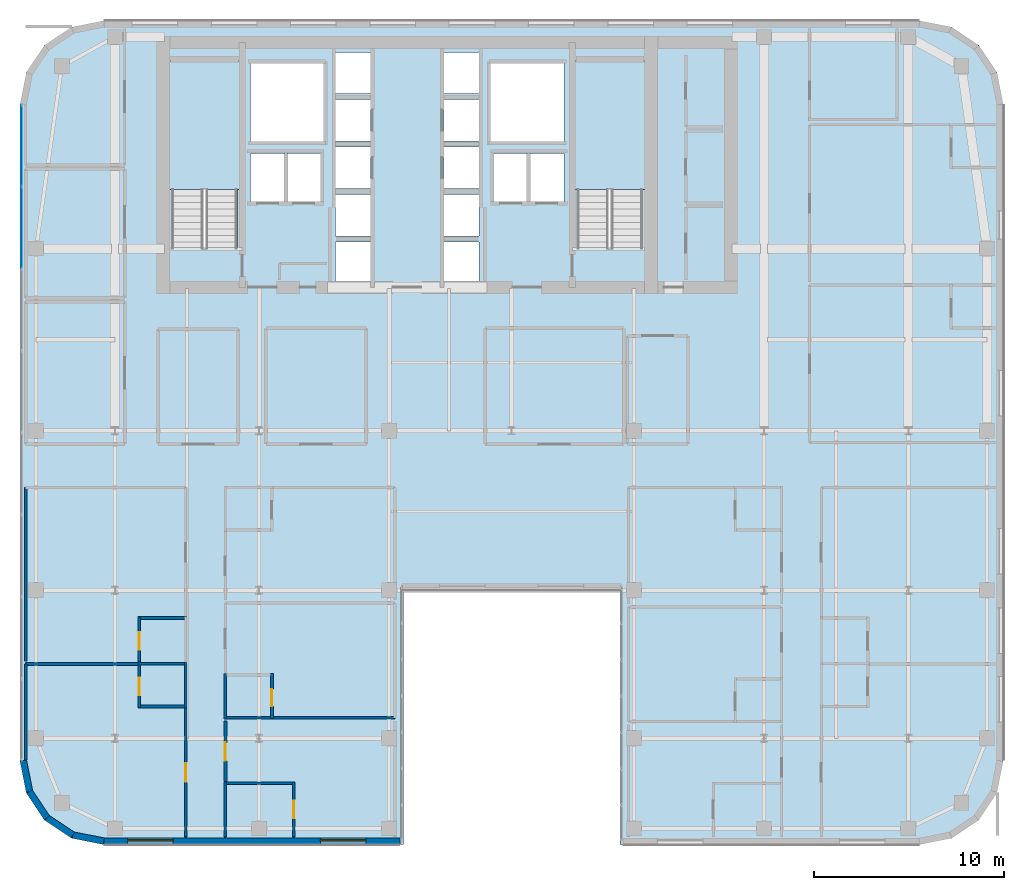
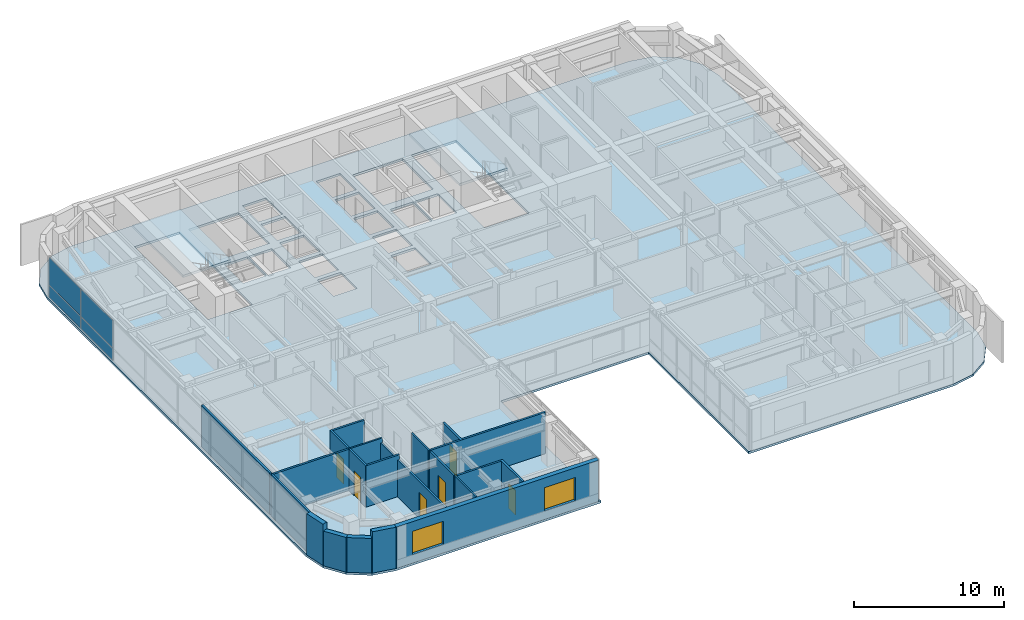
# One storey, part 17 of 28: 22 walls, 6 doors, 4 plates, 3 slabs, 2 windows, 8 openings, 3 elements without a shape of their own.
"""IFC4 building model written with IfcOpenShell, lengths in metres."""

from ifc_helpers import new_model, si_unit, direction, frame, frame_2d, origin, origin_2d, place, context, subcontext, project, spatial, polyline, rectangle, outline, extrude, source, transform, mapped, material, layer, layer_set, type_object, type_shapes, element, fill, aggregate, save


model = new_model("IFC4")

# Units and contexts
model_context = context("Model", 3, precision=1e-05, world=origin(), true_north=direction((0.0, 1.0)))
body_context = subcontext(model_context, "Body", "Model", "MODEL_VIEW")
ifc_project = project(units=[si_unit("LENGTHUNIT", "METRE"), si_unit("AREAUNIT", "SQUARE_METRE"), si_unit("VOLUMEUNIT", "CUBIC_METRE"), si_unit("PLANEANGLEUNIT", "RADIAN"), si_unit("MASSUNIT", "GRAM", prefix="KILO")], contexts=[model_context])

# Site, building, storey
site_placement = place(None, origin())
site = spatial("IfcSite", under=ifc_project, at=site_placement, CompositionType="ELEMENT")
building_placement = place(site_placement, origin())
building = spatial("IfcBuilding", under=site, at=building_placement, Name="Tolvann Quenvar Hotel", CompositionType="ELEMENT")
storey_placement = place(building_placement, frame((0.0, 0.0, 198.199951171875)))
storey = spatial("IfcBuildingStorey", under=building, at=storey_placement, Name="L52", CompositionType="ELEMENT", Elevation=198.199951171875)

# Stair, slab
ifc_material_1 = material(Name="Concrete N40 (40 MPa)", Category="concrete")
stair_type = type_object("IfcStairType", Name="STAIR", PredefinedType="HALF_TURN_STAIR", material=ifc_material_1)
stair_1_placement = place(storey_placement, origin())
stair_1 = element("IfcStair", 1, at=stair_1_placement, inside=storey, type_object=stair_type, Name="L52 ST-C1", PredefinedType="HALF_TURN_STAIR")
ifc_layer_1 = layer(ifc_material_1, 0.199951171875)
ifc_layer_set_1 = layer_set([ifc_layer_1], Name="Concrete N40 (40 MPa)")
slab_type_1 = type_object("IfcSlabType", Name="SLAB_LANDING", PredefinedType="LANDING", material=ifc_layer_set_1)
slab_1_placement = place(storey_placement, frame((0.0, 0.0, 1.574951171875)))
slab_1 = element("IfcSlab", 2, at=slab_1_placement, type_object=slab_type_1, Name="ST-C1 landing 1", PredefinedType="LANDING", context=body_context, shape_type="SweptSolid", body=[
    extrude(outline(polyline([(14.179931640625, 37.10498046875), (14.179931640625, 43.8798828125), (10.469970703125, 43.8798828125), (10.469970703125, 37.10498046875), (14.179931640625, 37.10498046875)])), origin(), (0.0, 0.0, 1.0), 0.2001953125),
])
aggregate(stair_1, [slab_1])

stair_2_placement = place(storey_placement, origin())
stair_2 = element("IfcStair", 3, at=stair_2_placement, inside=storey, type_object=stair_type, Name="L52 ST-C2", PredefinedType="HALF_TURN_STAIR")
slab_2_placement = place(storey_placement, frame((0.0, 0.0, 1.574951171875)))
slab_2 = element("IfcSlab", 4, at=slab_2_placement, type_object=slab_type_1, Name="ST-C2 landing 1", PredefinedType="LANDING", context=body_context, shape_type="SweptSolid", body=[
    extrude(outline(polyline([(35.530029296875, 37.10498046875), (35.530029296875, 43.8798828125), (31.820068359375, 43.8798828125), (31.820068359375, 37.10498046875), (35.530029296875, 37.10498046875)])), origin(), (0.0, 0.0, 1.0), 0.2001953125),
])
aggregate(stair_2, [slab_2])

# Slab
ifc_layer_2 = layer(ifc_material_1, 0.179931640625)
ifc_layer_set_2 = layer_set([ifc_layer_2], Name="Concrete N40 (40 MPa)")
slab_type_2 = type_object("IfcSlabType", Name="SLAB_TWR_180", PredefinedType="FLOOR", material=ifc_layer_set_2)
slab_3_placement = place(storey_placement, frame((0.0, 0.0, -0.179931640625)))
element("IfcSlab", 5, at=slab_3_placement, inside=storey, type_object=slab_type_2, Name="Level L52 Structural Floor Slab", PredefinedType="FLOOR", context=body_context, shape_type="SweptSolid", body=[
    extrude(outline(polyline([(2.60009765625, 7.0), (2.934814453125, 5.316162109375), (3.888671875, 3.888671875), (5.316162109375, 2.934814453125), (7.0, 2.60009765625), (22.800048828125, 2.60009765625), (22.800048828125, 16.0), (34.199951171875, 16.0), (34.199951171875, 2.60009765625), (50.0, 2.60009765625), (51.683837890625, 2.934814453125), (53.111328125, 3.888671875), (54.065185546875, 5.316162109375), (54.39990234375, 7.0), (54.39990234375, 41.60009765625), (54.065185546875, 43.28369140625), (53.111328125, 44.711181640625), (51.683837890625, 45.6650390625), (50.0, 46.0), (7.0, 46.0), (5.316162109375, 45.6650390625), (3.888671875, 44.711181640625), (2.934814453125, 43.28369140625), (2.60009765625, 41.60009765625), (2.60009765625, 7.0)]), holes=[polyline([(31.949951171875, 34.02490234375), (31.949951171875, 43.800048828125), (35.39990234375, 43.800048828125), (35.39990234375, 34.02490234375), (31.949951171875, 34.02490234375)]), polyline([(29.449951171875, 39.02001953125), (31.25, 39.02001953125), (31.25, 36.47998046875), (29.449951171875, 36.47998046875), (29.449951171875, 39.02001953125)]), polyline([(31.25, 43.75), (31.25, 39.64990234375), (27.39990234375, 39.64990234375), (27.39990234375, 43.75), (31.25, 43.75)]), polyline([(27.574951171875, 39.02001953125), (29.324951171875, 39.02001953125), (29.324951171875, 36.47998046875), (27.574951171875, 36.47998046875), (27.574951171875, 39.02001953125)]), polyline([(26.77001953125, 44.340087890625), (26.77001953125, 42.159912109375), (24.929931640625, 42.159912109375), (24.929931640625, 44.340087890625), (26.77001953125, 44.340087890625)]), polyline([(24.929931640625, 41.840087890625), (26.77001953125, 41.840087890625), (26.77001953125, 39.659912109375), (24.929931640625, 39.659912109375), (24.929931640625, 41.840087890625)]), polyline([(24.929931640625, 39.340087890625), (26.77001953125, 39.340087890625), (26.77001953125, 37.159912109375), (24.929931640625, 37.159912109375), (24.929931640625, 39.340087890625)]), polyline([(24.929931640625, 36.840087890625), (26.77001953125, 36.840087890625), (26.77001953125, 34.659912109375), (24.929931640625, 34.659912109375), (24.929931640625, 36.840087890625)]), polyline([(24.929931640625, 34.340087890625), (26.77001953125, 34.340087890625), (26.77001953125, 32.159912109375), (24.929931640625, 32.159912109375), (24.929931640625, 34.340087890625)]), polyline([(21.070068359375, 44.340087890625), (21.070068359375, 42.159912109375), (19.22998046875, 42.159912109375), (19.22998046875, 44.340087890625), (21.070068359375, 44.340087890625)]), polyline([(19.22998046875, 41.840087890625), (21.070068359375, 41.840087890625), (21.070068359375, 39.659912109375), (19.22998046875, 39.659912109375), (19.22998046875, 41.840087890625)]), polyline([(19.22998046875, 39.340087890625), (21.070068359375, 39.340087890625), (21.070068359375, 37.159912109375), (19.22998046875, 37.159912109375), (19.22998046875, 39.340087890625)]), polyline([(19.22998046875, 36.840087890625), (21.070068359375, 36.840087890625), (21.070068359375, 34.659912109375), (19.22998046875, 34.659912109375), (19.22998046875, 36.840087890625)]), polyline([(19.22998046875, 34.340087890625), (21.070068359375, 34.340087890625), (21.070068359375, 32.159912109375), (19.22998046875, 32.159912109375), (19.22998046875, 34.340087890625)]), polyline([(18.60009765625, 43.75), (18.60009765625, 39.64990234375), (14.75, 39.64990234375), (14.75, 43.75), (18.60009765625, 43.75)]), polyline([(16.675048828125, 39.02001953125), (18.425048828125, 39.02001953125), (18.425048828125, 36.47998046875), (16.675048828125, 36.47998046875), (16.675048828125, 39.02001953125)]), polyline([(14.75, 39.02001953125), (16.550048828125, 39.02001953125), (16.550048828125, 36.47998046875), (14.75, 36.47998046875), (14.75, 39.02001953125)]), polyline([(10.60009765625, 34.02490234375), (10.60009765625, 43.800048828125), (14.050048828125, 43.800048828125), (14.050048828125, 34.02490234375), (10.60009765625, 34.02490234375)])]), origin(), (0.0, 0.0, 1.0), 0.179931640625),
])

# Curtain wall, plates
ifc_material_2 = material(Name="Thermally broken anodised architectural aluminium 6063-T6 and laminated low-E glass", Category="aluminium")
ifc_layer_3 = layer(ifc_material_2, 0.179931640625)
ifc_layer_set_3 = layer_set([ifc_layer_3], Name="Thermally broken anodised architectural aluminium 6063-T6 and laminated low-E glass")
curtain_wall_type = type_object("IfcCurtainWallType", Name="CW_SYS_BAND_04", PredefinedType="USERDEFINED", material=ifc_layer_set_3)
curtain_wall_placement = place(storey_placement, origin())
curtain_wall = element("IfcCurtainWall", 6, at=curtain_wall_placement, inside=storey, type_object=curtain_wall_type, Name="Curtain Wall CW-BAND-04 (CWR-L52-E23)", ObjectType="UNITISED CURTAIN WALL", PredefinedType="USERDEFINED")
ifc_material_3 = material(Name="Low-iron laminated double glazing with solar-control coating", Category="glass")
ifc_layer_4 = layer(ifc_material_3, 0.028076171875)
ifc_layer_set_4 = layer_set([ifc_layer_4], Name="Low-iron laminated double glazing with solar-control coating")
plate_type = type_object("IfcPlateType", Name="CW_PAN_VISION_28", PredefinedType="CURTAIN_PANEL", material=ifc_layer_set_4)
shared_shape_1 = source(origin(), body_context, "Body", "SweptSolid", [
    extrude(rectangle(XDim=4.2158203125, YDim=0.028076171875, at=origin_2d()), origin(), (0.0, 0.0, 1.0), 0.9599609375),
])
plate_1_placement = place(storey_placement, frame((2.68994140625, 39.405029296875, 0.06005859375), z_axis=(0.0, 0.0, 1.0), x_axis=(0.0, -1.0, 0.0)))
plate_1 = element("IfcPlate", 7, at=plate_1_placement, type_object=plate_type, Name="CW-BAND-04 panel 1.1", PredefinedType="CURTAIN_PANEL", context=body_context, shape_type="MappedRepresentation", body=[
    mapped(shared_shape_1, transform((0.0, 0.0, 0.0), x_axis=(1.0, 0.0, 0.0), y_axis=(0.0, 1.0, 0.0), z_axis=(0.0, 0.0, 1.0), scale=1.0)),
])
shared_shape_2 = source(origin(), body_context, "Body", "SweptSolid", [
    extrude(rectangle(XDim=4.2158203125, YDim=0.028076171875, at=origin_2d()), origin(), (0.0, 0.0, 1.0), 2.22998046875),
])
plate_2_placement = place(storey_placement, frame((2.68994140625, 39.405029296875, 1.080078125), z_axis=(0.0, 0.0, 1.0), x_axis=(0.0, -1.0, 0.0)))
plate_2 = element("IfcPlate", 8, at=plate_2_placement, type_object=plate_type, Name="CW-BAND-04 panel 1.2", PredefinedType="CURTAIN_PANEL", context=body_context, shape_type="MappedRepresentation", body=[
    mapped(shared_shape_2, transform((0.0, 0.0, 0.0), x_axis=(1.0, 0.0, 0.0), y_axis=(0.0, 1.0, 0.0), z_axis=(0.0, 0.0, 1.0), scale=1.0)),
])
shared_shape_3 = source(origin(), body_context, "Body", "SweptSolid", [
    extrude(rectangle(XDim=4.250732421875, YDim=0.028076171875, at=origin_2d()), origin(), (0.0, 0.0, 1.0), 0.9599609375),
])
plate_3_placement = place(storey_placement, frame((2.68994140625, 35.101806640625, 0.06005859375), z_axis=(0.0, 0.0, 1.0), x_axis=(0.0, -1.0, 0.0)))
plate_3 = element("IfcPlate", 9, at=plate_3_placement, type_object=plate_type, Name="CW-BAND-04 panel 2.1", PredefinedType="CURTAIN_PANEL", context=body_context, shape_type="MappedRepresentation", body=[
    mapped(shared_shape_3, transform((0.0, 0.0, 0.0), x_axis=(1.0, 0.0, 0.0), y_axis=(0.0, 1.0, 0.0), z_axis=(0.0, 0.0, 1.0), scale=1.0)),
])
shared_shape_4 = source(origin(), body_context, "Body", "SweptSolid", [
    extrude(rectangle(XDim=4.250732421875, YDim=0.028076171875, at=origin_2d()), origin(), (0.0, 0.0, 1.0), 2.22998046875),
])
type_shapes(plate_type, [shared_shape_1, shared_shape_2, shared_shape_3, shared_shape_4])
plate_4_placement = place(storey_placement, frame((2.68994140625, 35.101806640625, 1.080078125), z_axis=(0.0, 0.0, 1.0), x_axis=(0.0, -1.0, 0.0)))
plate_4 = element("IfcPlate", 10, at=plate_4_placement, type_object=plate_type, Name="CW-BAND-04 panel 2.2", PredefinedType="CURTAIN_PANEL", context=body_context, shape_type="MappedRepresentation", body=[
    mapped(shared_shape_4, transform((0.0, 0.0, 0.0), x_axis=(1.0, 0.0, 0.0), y_axis=(0.0, 1.0, 0.0), z_axis=(0.0, 0.0, 1.0), scale=1.0)),
])
aggregate(curtain_wall, [plate_1, plate_2, plate_3, plate_4])

# Walls
ifc_material_4 = material(Name="Kiln-fired red and buff architectural clay brickwork and terracotta masonry", Category="masonry")
ifc_layer_5 = layer(ifc_material_4, 0.35009765625)
ifc_layer_set_5 = layer_set([ifc_layer_5], Name="Kiln-fired red and buff architectural clay brickwork and terracotta masonry")
wall_type_1 = type_object("IfcWallType", Name="WALL_EXT_BRICK_350", PredefinedType="SOLIDWALL", material=ifc_layer_set_5)
for number, where, z_axis, x_axis, name in (
    (11, (3.099609375, 5.384521484375, 0.0), (0.0, 0.0, 1.0), (0.555623290322, -0.831434158098, 0.0), "Exterior Chicago Brick Wall L52-E01"),
    (12, (4.014892578125, 4.014892578125, 0.0), (0.0, 0.0, 1.0), (0.831434158098, -0.555623290322, 0.0), "Exterior Chicago Brick Wall L52-E02"),
):
    element("IfcWall", number, at=place(storey_placement, frame(where, z_axis=z_axis, x_axis=x_axis)), inside=storey, type_object=wall_type_1, Name=name, PredefinedType="SOLIDWALL", context=body_context, shape_type="SweptSolid", body=[
        extrude(rectangle(XDim=1.647216796875, YDim=0.35009765625, at=frame_2d((0.82373046875, 0.0))), origin(), (0.0, 0.0, 1.0), 2.83203125),
    ])
wall_1_placement = place(storey_placement, frame((5.384521484375, 3.099609375, 0.0), z_axis=(0.0, 0.0, 1.0), x_axis=(0.980788844421, -0.195072403631, 0.0)))
element("IfcWall", 13, at=wall_1_placement, inside=storey, type_object=wall_type_1, Name="Exterior Chicago Brick Wall L52-E03", PredefinedType="SOLIDWALL", context=body_context, shape_type="SweptSolid", body=[
    extrude(rectangle(XDim=1.66455078125, YDim=0.35009765625, at=frame_2d((0.832275390625, 0.0))), origin(), (0.0, 0.0, 1.0), 3.3701171875),
])

# Wall, openings, windows
wall_2_placement = place(storey_placement, frame((7.01708984375, 2.77490234375, 0.0), z_axis=(0.0, 0.0, 1.0), x_axis=(1.0, 0.0, 0.0)))
wall_2 = element("IfcWall", 14, at=wall_2_placement, inside=storey, type_object=wall_type_1, Name="Exterior Chicago Brick Wall L52-E04", PredefinedType="SOLIDWALL", context=body_context, shape_type="SweptSolid", body=[
    extrude(rectangle(XDim=15.60791015625, YDim=0.35009765625, at=frame_2d((7.803955078125, 0.0))), origin(), (0.0, 0.0, 1.0), 3.3701171875),
])
opening_1_placement = place(wall_2_placement, frame((1.2509765625, 0.0, 0.679931640625)))
opening_1 = element("IfcOpeningElement", 15, at=opening_1_placement, cuts=wall_2, Name="Opening W-01", PredefinedType="OPENING", context=body_context, shape_type="SweptSolid", body=[
    extrude(rectangle(XDim=2.39990234375, YDim=1.89990234375, at=frame_2d((1.199951171875, 0.949951171875))), frame((0.0, 0.18505859375, 0.0), z_axis=(0.0, -1.0, 0.0), x_axis=(1.0, 0.0, 0.0)), (0.0, 0.0, 1.0), 0.3701171875),
])
opening_2_placement = place(wall_2_placement, frame((11.406982421875, 0.0, 0.679931640625)))
opening_2 = element("IfcOpeningElement", 16, at=opening_2_placement, cuts=wall_2, Name="Opening W-01", PredefinedType="OPENING", context=body_context, shape_type="SweptSolid", body=[
    extrude(rectangle(XDim=2.39990234375, YDim=1.89990234375, at=frame_2d((1.199951171875, 0.949951171875))), frame((0.0, 0.18505859375, 0.0), z_axis=(0.0, -1.0, 0.0), x_axis=(1.0, 0.0, 0.0)), (0.0, 0.0, 1.0), 0.3701171875),
])
ifc_material_5 = material(Name="Thermally broken bronze-anodised aluminium frame with double low-E glazing", Category="aluminium")
window_type = type_object("IfcWindowType", Name="WIN_CHI_2400x2050", PartitioningType="TRIPLE_PANEL_HORIZONTAL", PredefinedType="WINDOW", material=ifc_material_5)
shared_shape_5 = source(origin(), body_context, "Body", "SweptSolid", [
    extrude(rectangle(XDim=2.39990234375, YDim=1.89990234375, at=frame_2d((1.199951171875, 0.949951171875))), frame((0.0, 0.090087890625, 0.0), z_axis=(0.0, -1.0, 0.0), x_axis=(1.0, 0.0, 0.0)), (0.0, 0.0, 1.0), 0.06005859375),
])
type_shapes(window_type, [shared_shape_5])
window_1_placement = place(opening_1_placement, origin())
window_1 = element("IfcWindow", 17, at=window_1_placement, inside=storey, type_object=window_type, Name="Chicago Window W-01 (EW-L52-E04-W01)", OverallHeight=1.89990234375, OverallWidth=2.39990234375, PartitioningType="TRIPLE_PANEL_HORIZONTAL", PredefinedType="WINDOW", context=body_context, shape_type="MappedRepresentation", body=[
    mapped(shared_shape_5, transform((0.0, 0.0, 0.0), x_axis=(1.0, 0.0, 0.0), y_axis=(0.0, 1.0, 0.0), z_axis=(0.0, 0.0, 1.0), scale=1.0)),
])
fill(opening_1, window_1)
window_2_placement = place(opening_2_placement, origin())
window_2 = element("IfcWindow", 18, at=window_2_placement, inside=storey, type_object=window_type, Name="Chicago Window W-01 (EW-L52-E04-W02)", OverallHeight=1.89990234375, OverallWidth=2.39990234375, PartitioningType="TRIPLE_PANEL_HORIZONTAL", PredefinedType="WINDOW", context=body_context, shape_type="MappedRepresentation", body=[
    mapped(shared_shape_5, transform((0.0, 0.0, 0.0), x_axis=(1.0, 0.0, 0.0), y_axis=(0.0, 1.0, 0.0), z_axis=(0.0, 0.0, 1.0), scale=1.0)),
])
fill(opening_2, window_2)

# Walls
wall_3_placement = place(storey_placement, frame((2.77490234375, 7.01708984375, 0.0), z_axis=(0.0, 0.0, 1.0), x_axis=(0.195072403631, -0.980788844421, 0.0)))
element("IfcWall", 19, at=wall_3_placement, inside=storey, type_object=wall_type_1, Name="Exterior Chicago Brick Wall L52-E24", PredefinedType="SOLIDWALL", context=body_context, shape_type="SweptSolid", body=[
    extrude(rectangle(XDim=1.66455078125, YDim=0.35009765625, at=frame_2d((0.832275390625, 0.0))), origin(), (0.0, 0.0, 1.0), 3.3701171875),
])
ifc_material_6 = material(Name="Moisture-resistant acoustic plumbing wall assembly")
ifc_layer_6 = layer(ifc_material_6, 0.1201171875)
ifc_layer_set_6 = layer_set([ifc_layer_6], Name="Moisture-resistant acoustic plumbing wall assembly")
wall_type_2 = type_object("IfcWallType", Name="WALL_PART_BATH_120", PredefinedType="PLUMBINGWALL", material=ifc_layer_set_6)
wall_4_placement = place(storey_placement, frame((8.81005859375, 12.1201171875, 0.0), z_axis=(0.0, 0.0, 1.0), x_axis=(1.0, 0.0, 0.0)))
element("IfcWall", 20, at=wall_4_placement, inside=storey, type_object=wall_type_2, Name="Non-Rated Plumbing Partition PT-SPC-L52-ENS-WO01-N", PredefinedType="PLUMBINGWALL", context=body_context, shape_type="SweptSolid", body=[
    extrude(rectangle(XDim=2.58984375, YDim=0.1201171875, at=frame_2d((1.294921875, 0.0))), origin(), (0.0, 0.0, 1.0), 3.3701171875),
])
wall_5_placement = place(storey_placement, frame((11.330078125, 9.800048828125, 0.0), z_axis=(0.0, 0.0, 1.0), x_axis=(0.0, 1.0, 0.0)))
element("IfcWall", 21, at=wall_5_placement, inside=storey, type_object=wall_type_2, Name="Non-Rated Plumbing Partition PT-SPC-L52-ENS-WO01-E", PredefinedType="PLUMBINGWALL", context=body_context, shape_type="SweptSolid", body=[
    extrude(rectangle(XDim=2.389892578125, YDim=0.1201171875, at=frame_2d((1.19482421875, 0.0))), origin(), (0.0, 0.0, 1.0), 3.0009765625),
])
wall_6_placement = place(storey_placement, frame((13.419921875, 3.0048828125, 0.0), z_axis=(0.0, 0.0, 1.0), x_axis=(0.0, 1.0, 0.0)))
element("IfcWall", 22, at=wall_6_placement, inside=storey, type_object=wall_type_2, Name="Non-Rated Plumbing Partition PT-SPC-L52-ENS-WI01-W", PredefinedType="PLUMBINGWALL", context=body_context, shape_type="SweptSolid", body=[
    extrude(rectangle(XDim=2.89501953125, YDim=0.1201171875, at=frame_2d((1.447509765625, 0.0))), origin(), (0.0, 0.0, 1.0), 3.3701171875),
])
wall_7_placement = place(storey_placement, frame((13.419921875, 9.2099609375, 0.0), z_axis=(0.0, 0.0, 1.0), x_axis=(0.0, 1.0, 0.0)))
element("IfcWall", 23, at=wall_7_placement, inside=storey, type_object=wall_type_2, Name="Non-Rated Plumbing Partition PT-SPC-L52-ENS-WI02-W", PredefinedType="PLUMBINGWALL", context=body_context, shape_type="SweptSolid", body=[
    extrude(rectangle(XDim=2.39013671875, YDim=0.1201171875, at=frame_2d((1.195068359375, 0.0))), origin(), (0.0, 0.0, 1.0), 3.3701171875),
])

# Wall, opening, door
ifc_material_7 = material(Name="Acoustic twin-stud fire-rated gypsum plasterboard partition")
ifc_layer_7 = layer(ifc_material_7, 0.14990234375)
ifc_layer_set_7 = layer_set([ifc_layer_7], Name="Acoustic twin-stud fire-rated gypsum plasterboard partition")
wall_type_3 = type_object("IfcWallType", Name="WALL_PART_SUITE_150", PredefinedType="PARTITIONING", material=ifc_layer_set_7)
wall_8_placement = place(storey_placement, frame((8.8798828125, 9.800048828125, 0.0), z_axis=(0.0, 0.0, 1.0), x_axis=(0.0, 1.0, 0.0)))
wall_8 = element("IfcWall", 24, at=wall_8_placement, inside=storey, type_object=wall_type_3, Name="Interior Partition PT-SPC-L52-ENS-WO01-ENT", PredefinedType="PARTITIONING", context=body_context, shape_type="SweptSolid", body=[
    extrude(rectangle(XDim=2.389892578125, YDim=0.14990234375, at=frame_2d((1.19482421875, 0.0))), origin(), (0.0, 0.0, 1.0), 3.3701171875),
])
opening_3_placement = place(wall_8_placement, frame((0.6650390625, 0.0, 0.0)))
opening_3 = element("IfcOpeningElement", 25, at=opening_3_placement, cuts=wall_8, Name="Opening WD-01", PredefinedType="OPENING", context=body_context, shape_type="SweptSolid", body=[
    extrude(rectangle(XDim=0.919921875, YDim=2.010009765625, at=frame_2d((0.4599609375, 1.0048828125))), frame((0.0, 0.0849609375, 0.0), z_axis=(0.0, -1.0, 0.0), x_axis=(1.0, 0.0, 0.0)), (0.0, 0.0, 1.0), 0.169921875),
])
ifc_material_8 = material(Name="Solid-core American oak acoustic fire door leaf in steel frame", Category="steel")
door_type_1 = type_object("IfcDoorType", Name="DOOR_WC_920", OperationType="NOTDEFINED", PredefinedType="DOOR", material=ifc_material_8)
shared_shape_6 = source(origin(), body_context, "Body", "SweptSolid", [
    extrude(rectangle(XDim=0.919921875, YDim=2.010009765625, at=frame_2d((0.4599609375, 1.0048828125))), frame((0.0, 0.02490234375, 0.0), z_axis=(0.0, -1.0, 0.0), x_axis=(1.0, 0.0, 0.0)), (0.0, 0.0, 1.0), 0.050048828125),
])
type_shapes(door_type_1, [shared_shape_6])
door_1_placement = place(opening_3_placement, origin())
door_1 = element("IfcDoor", 26, at=door_1_placement, inside=storey, type_object=door_type_1, Name="Interior Door DOOR-SPC-L52-ENS-WO01", OperationType="SINGLE_SWING_LEFT", OverallHeight=2.010009765625, OverallWidth=0.919921875, PredefinedType="DOOR", context=body_context, shape_type="MappedRepresentation", body=[
    mapped(shared_shape_6, transform((0.0, 0.0, 0.0), x_axis=(1.0, 0.0, 0.0), y_axis=(0.0, 1.0, 0.0), z_axis=(0.0, 0.0, 1.0), scale=1.0)),
])
fill(opening_3, door_1)

# Wall
wall_9_placement = place(storey_placement, frame((8.81005859375, 9.8701171875, 0.0), z_axis=(0.0, 0.0, 1.0), x_axis=(1.0, 0.0, 0.0)))
element("IfcWall", 27, at=wall_9_placement, inside=storey, type_object=wall_type_3, Name="Interior Partition PT-SPC-L52-ENS-WO01-S", PredefinedType="PARTITIONING", context=body_context, shape_type="SweptSolid", body=[
    extrude(rectangle(XDim=2.58984375, YDim=0.14990234375, at=frame_2d((1.294921875, 0.0))), origin(), (0.0, 0.0, 1.0), 3.3701171875),
])

# Wall, opening, door
wall_10_placement = place(storey_placement, frame((8.8798828125, 12.2099609375, 0.0), z_axis=(0.0, 0.0, 1.0), x_axis=(0.0, 1.0, 0.0)))
wall_10 = element("IfcWall", 28, at=wall_10_placement, inside=storey, type_object=wall_type_3, Name="Interior Partition PT-SPC-L52-ENS-WO02-ENT", PredefinedType="PARTITIONING", context=body_context, shape_type="SweptSolid", body=[
    extrude(rectangle(XDim=2.39013671875, YDim=0.14990234375, at=frame_2d((1.195068359375, 0.0))), origin(), (0.0, 0.0, 1.0), 3.3701171875),
])
opening_4_placement = place(wall_10_placement, frame((0.6650390625, 0.0, 0.0)))
opening_4 = element("IfcOpeningElement", 29, at=opening_4_placement, cuts=wall_10, Name="Opening WD-01", PredefinedType="OPENING", context=body_context, shape_type="SweptSolid", body=[
    extrude(rectangle(XDim=0.919921875, YDim=2.010009765625, at=frame_2d((0.4599609375, 1.0048828125))), frame((0.0, 0.0849609375, 0.0), z_axis=(0.0, -1.0, 0.0), x_axis=(1.0, 0.0, 0.0)), (0.0, 0.0, 1.0), 0.169921875),
])
door_2_placement = place(opening_4_placement, origin())
door_2 = element("IfcDoor", 30, at=door_2_placement, inside=storey, type_object=door_type_1, Name="Interior Door DOOR-SPC-L52-ENS-WO02", OperationType="SINGLE_SWING_RIGHT", OverallHeight=2.010009765625, OverallWidth=0.919921875, PredefinedType="DOOR", context=body_context, shape_type="MappedRepresentation", body=[
    mapped(shared_shape_6, transform((0.0, 0.0, 0.0), x_axis=(1.0, 0.0, 0.0), y_axis=(0.0, 1.0, 0.0), z_axis=(0.0, 0.0, 1.0), scale=1.0)),
])
fill(opening_4, door_2)

# Wall
wall_11_placement = place(storey_placement, frame((8.81005859375, 14.530029296875, 0.0), z_axis=(0.0, 0.0, 1.0), x_axis=(1.0, 0.0, 0.0)))
element("IfcWall", 31, at=wall_11_placement, inside=storey, type_object=wall_type_3, Name="Interior Partition PT-SPC-L52-ENS-WO02-N", PredefinedType="PARTITIONING", context=body_context, shape_type="SweptSolid", body=[
    extrude(rectangle(XDim=2.58984375, YDim=0.14990234375, at=frame_2d((1.294921875, 0.0))), origin(), (0.0, 0.0, 1.0), 3.3701171875),
])

# Wall, opening, door
wall_12_placement = place(storey_placement, frame((17.02001953125, 3.0048828125, 0.0), z_axis=(0.0, 0.0, 1.0), x_axis=(0.0, 1.0, 0.0)))
wall_12 = element("IfcWall", 32, at=wall_12_placement, inside=storey, type_object=wall_type_3, Name="Interior Partition PT-SPC-L52-ENS-WI01-ENT", PredefinedType="PARTITIONING", context=body_context, shape_type="SweptSolid", body=[
    extrude(rectangle(XDim=2.89501953125, YDim=0.14990234375, at=frame_2d((1.447509765625, 0.0))), origin(), (0.0, 0.0, 1.0), 3.3701171875),
])
opening_5_placement = place(wall_12_placement, frame((0.97998046875, 0.0, 0.0)))
opening_5 = element("IfcOpeningElement", 33, at=opening_5_placement, cuts=wall_12, Name="Opening WD-01", PredefinedType="OPENING", context=body_context, shape_type="SweptSolid", body=[
    extrude(rectangle(XDim=0.919921875, YDim=2.010009765625, at=frame_2d((0.4599609375, 1.0048828125))), frame((0.0, 0.0849609375, 0.0), z_axis=(0.0, -1.0, 0.0), x_axis=(1.0, 0.0, 0.0)), (0.0, 0.0, 1.0), 0.169921875),
])
door_3_placement = place(opening_5_placement, origin())
door_3 = element("IfcDoor", 34, at=door_3_placement, inside=storey, type_object=door_type_1, Name="Interior Door DOOR-SPC-L52-ENS-WI01", OperationType="SINGLE_SWING_LEFT", OverallHeight=2.010009765625, OverallWidth=0.919921875, PredefinedType="DOOR", context=body_context, shape_type="MappedRepresentation", body=[
    mapped(shared_shape_6, transform((0.0, 0.0, 0.0), x_axis=(1.0, 0.0, 0.0), y_axis=(0.0, 1.0, 0.0), z_axis=(0.0, 0.0, 1.0), scale=1.0)),
])
fill(opening_5, door_3)

# Wall
wall_13_placement = place(storey_placement, frame((13.35009765625, 5.830078125, 0.0), z_axis=(0.0, 0.0, 1.0), x_axis=(1.0, 0.0, 0.0)))
element("IfcWall", 35, at=wall_13_placement, inside=storey, type_object=wall_type_3, Name="Interior Partition PT-SPC-L52-ENS-WI01-N", PredefinedType="PARTITIONING", context=body_context, shape_type="SweptSolid", body=[
    extrude(rectangle(XDim=3.739990234375, YDim=0.14990234375, at=frame_2d((1.8701171875, 0.0))), origin(), (0.0, 0.0, 1.0), 3.3701171875),
])

# Wall, opening, door
wall_14_placement = place(storey_placement, frame((15.8701171875, 9.2099609375, 0.0), z_axis=(0.0, 0.0, 1.0), x_axis=(0.0, 1.0, 0.0)))
wall_14 = element("IfcWall", 36, at=wall_14_placement, inside=storey, type_object=wall_type_3, Name="Interior Partition PT-SPC-L52-ENS-WI02-ENT", PredefinedType="PARTITIONING", context=body_context, shape_type="SweptSolid", body=[
    extrude(rectangle(XDim=2.39013671875, YDim=0.14990234375, at=frame_2d((1.195068359375, 0.0))), origin(), (0.0, 0.0, 1.0), 3.3701171875),
])
opening_6_placement = place(wall_14_placement, frame((0.6650390625, 0.0, 0.0)))
opening_6 = element("IfcOpeningElement", 37, at=opening_6_placement, cuts=wall_14, Name="Opening WD-01", PredefinedType="OPENING", context=body_context, shape_type="SweptSolid", body=[
    extrude(rectangle(XDim=0.919921875, YDim=2.010009765625, at=frame_2d((0.4599609375, 1.0048828125))), frame((0.0, 0.0849609375, 0.0), z_axis=(0.0, -1.0, 0.0), x_axis=(1.0, 0.0, 0.0)), (0.0, 0.0, 1.0), 0.169921875),
])
door_4_placement = place(opening_6_placement, origin())
door_4 = element("IfcDoor", 38, at=door_4_placement, inside=storey, type_object=door_type_1, Name="Interior Door DOOR-SPC-L52-ENS-WI02", OperationType="SINGLE_SWING_RIGHT", OverallHeight=2.010009765625, OverallWidth=0.919921875, PredefinedType="DOOR", context=body_context, shape_type="MappedRepresentation", body=[
    mapped(shared_shape_6, transform((0.0, 0.0, 0.0), x_axis=(1.0, 0.0, 0.0), y_axis=(0.0, 1.0, 0.0), z_axis=(0.0, 0.0, 1.0), scale=1.0)),
])
fill(opening_6, door_4)

# Wall
wall_15_placement = place(storey_placement, frame((13.35009765625, 9.280029296875, 0.0), z_axis=(0.0, 0.0, 1.0), x_axis=(1.0, 0.0, 0.0)))
element("IfcWall", 39, at=wall_15_placement, inside=storey, type_object=wall_type_3, Name="Interior Partition PT-SPC-L52-ENS-WI02-S", PredefinedType="PARTITIONING", context=body_context, shape_type="SweptSolid", body=[
    extrude(rectangle(XDim=9.0, YDim=0.14990234375, at=frame_2d((4.5, 0.0))), origin(), (0.0, 0.0, 1.0), 3.3701171875),
])

# Wall, opening, door
wall_16_placement = place(storey_placement, frame((11.330078125, 3.0048828125, 0.0), z_axis=(0.0, 0.0, 1.0), x_axis=(0.0, 1.0, 0.0)))
wall_16 = element("IfcWall", 40, at=wall_16_placement, inside=storey, type_object=wall_type_3, Name="Interior Partition PT-SPC-L52-RM-WO01-ENT", PredefinedType="PARTITIONING", context=body_context, shape_type="SweptSolid", body=[
    extrude(rectangle(XDim=6.78515625, YDim=0.14990234375, at=frame_2d((3.392578125, 0.0))), origin(), (0.0, 0.0, 1.0), 3.0009765625),
])
opening_7_placement = place(wall_16_placement, frame((2.909912109375, 0.0, 0.0)))
opening_7 = element("IfcOpeningElement", 41, at=opening_7_placement, cuts=wall_16, Name="Opening SD-01", PredefinedType="OPENING", context=body_context, shape_type="SweptSolid", body=[
    extrude(rectangle(XDim=0.97998046875, YDim=2.1201171875, at=frame_2d((0.489990234375, 1.06005859375))), frame((0.0, 0.0849609375, 0.0), z_axis=(0.0, -1.0, 0.0), x_axis=(1.0, 0.0, 0.0)), (0.0, 0.0, 1.0), 0.169921875),
])
door_type_2 = type_object("IfcDoorType", Name="DOOR_SUITE_980", OperationType="NOTDEFINED", PredefinedType="DOOR", material=ifc_material_8)
shared_shape_7 = source(origin(), body_context, "Body", "SweptSolid", [
    extrude(rectangle(XDim=0.97998046875, YDim=2.1201171875, at=frame_2d((0.489990234375, 1.06005859375))), frame((0.0, 0.02490234375, 0.0), z_axis=(0.0, -1.0, 0.0), x_axis=(1.0, 0.0, 0.0)), (0.0, 0.0, 1.0), 0.050048828125),
])
type_shapes(door_type_2, [shared_shape_7])
door_5_placement = place(opening_7_placement, origin())
door_5 = element("IfcDoor", 42, at=door_5_placement, inside=storey, type_object=door_type_2, Name="Interior Door DOOR-SPC-L52-RM-WO01", OperationType="SINGLE_SWING_RIGHT", OverallHeight=2.1201171875, OverallWidth=0.97998046875, PredefinedType="DOOR", context=body_context, shape_type="MappedRepresentation", body=[
    mapped(shared_shape_7, transform((0.0, 0.0, 0.0), x_axis=(1.0, 0.0, 0.0), y_axis=(0.0, 1.0, 0.0), z_axis=(0.0, 0.0, 1.0), scale=1.0)),
])
fill(opening_7, door_5)

# Walls
wall_17_placement = place(storey_placement, frame((2.89990234375, 12.1201171875, 0.0), z_axis=(0.0, 0.0, 1.0), x_axis=(1.0, 0.0, 0.0)))
element("IfcWall", 43, at=wall_17_placement, inside=storey, type_object=wall_type_3, Name="Interior Partition PT-SPC-L52-RM-WO01-E5", PredefinedType="PARTITIONING", context=body_context, shape_type="SweptSolid", body=[
    extrude(rectangle(XDim=5.960205078125, YDim=0.14990234375, at=frame_2d((2.97998046875, 0.0))), origin(), (0.0, 0.0, 1.0), 3.3701171875),
])
wall_18_placement = place(storey_placement, frame((2.89990234375, 7.0419921875, 0.0), z_axis=(0.0, 0.0, 1.0), x_axis=(0.0, 1.0, 0.0)))
element("IfcWall", 44, at=wall_18_placement, inside=storey, type_object=wall_type_3, Name="Interior Partition PT-SPC-L52-RM-WO01-E6", PredefinedType="PARTITIONING", context=body_context, shape_type="SweptSolid", body=[
    extrude(rectangle(XDim=5.078125, YDim=0.14990234375, at=frame_2d((2.5390625, 0.0))), origin(), (0.0, 0.0, 1.0), 3.3701171875),
])
wall_19_placement = place(storey_placement, frame((2.89990234375, 12.280029296875, 0.0), z_axis=(0.0, 0.0, 1.0), x_axis=(0.0, 1.0, 0.0)))
element("IfcWall", 45, at=wall_19_placement, inside=storey, type_object=wall_type_3, Name="Interior Partition PT-SPC-L52-RM-WO02-E6", PredefinedType="PARTITIONING", context=body_context, shape_type="SweptSolid", body=[
    extrude(rectangle(XDim=9.139892578125, YDim=0.14990234375, at=frame_2d((4.56982421875, 0.0))), origin(), (0.0, 0.0, 1.0), 3.3701171875),
])

# Wall, opening, door
wall_20_placement = place(storey_placement, frame((13.419921875, 5.909912109375, 0.0), z_axis=(0.0, 0.0, 1.0), x_axis=(0.0, 1.0, 0.0)))
wall_20 = element("IfcWall", 46, at=wall_20_placement, inside=storey, type_object=wall_type_3, Name="Interior Partition PT-SPC-L52-RM-WI01-ENT", PredefinedType="PARTITIONING", context=body_context, shape_type="SweptSolid", body=[
    extrude(rectangle(XDim=3.210205078125, YDim=0.14990234375, at=frame_2d((1.60498046875, 0.0))), origin(), (0.0, 0.0, 1.0), 3.3701171875),
])
opening_8_placement = place(wall_20_placement, frame((1.094970703125, 0.0, 0.0)))
opening_8 = element("IfcOpeningElement", 47, at=opening_8_placement, cuts=wall_20, Name="Opening SD-01", PredefinedType="OPENING", context=body_context, shape_type="SweptSolid", body=[
    extrude(rectangle(XDim=0.97998046875, YDim=2.1201171875, at=frame_2d((0.489990234375, 1.06005859375))), frame((0.0, 0.0849609375, 0.0), z_axis=(0.0, -1.0, 0.0), x_axis=(1.0, 0.0, 0.0)), (0.0, 0.0, 1.0), 0.169921875),
])
door_6_placement = place(opening_8_placement, origin())
door_6 = element("IfcDoor", 48, at=door_6_placement, inside=storey, type_object=door_type_2, Name="Interior Door DOOR-SPC-L52-RM-WI01", OperationType="SINGLE_SWING_RIGHT", OverallHeight=2.1201171875, OverallWidth=0.97998046875, PredefinedType="DOOR", context=body_context, shape_type="MappedRepresentation", body=[
    mapped(shared_shape_7, transform((0.0, 0.0, 0.0), x_axis=(1.0, 0.0, 0.0), y_axis=(0.0, 1.0, 0.0), z_axis=(0.0, 0.0, 1.0), scale=1.0)),
])
fill(opening_8, door_6)

save(model, "model.ifc")
